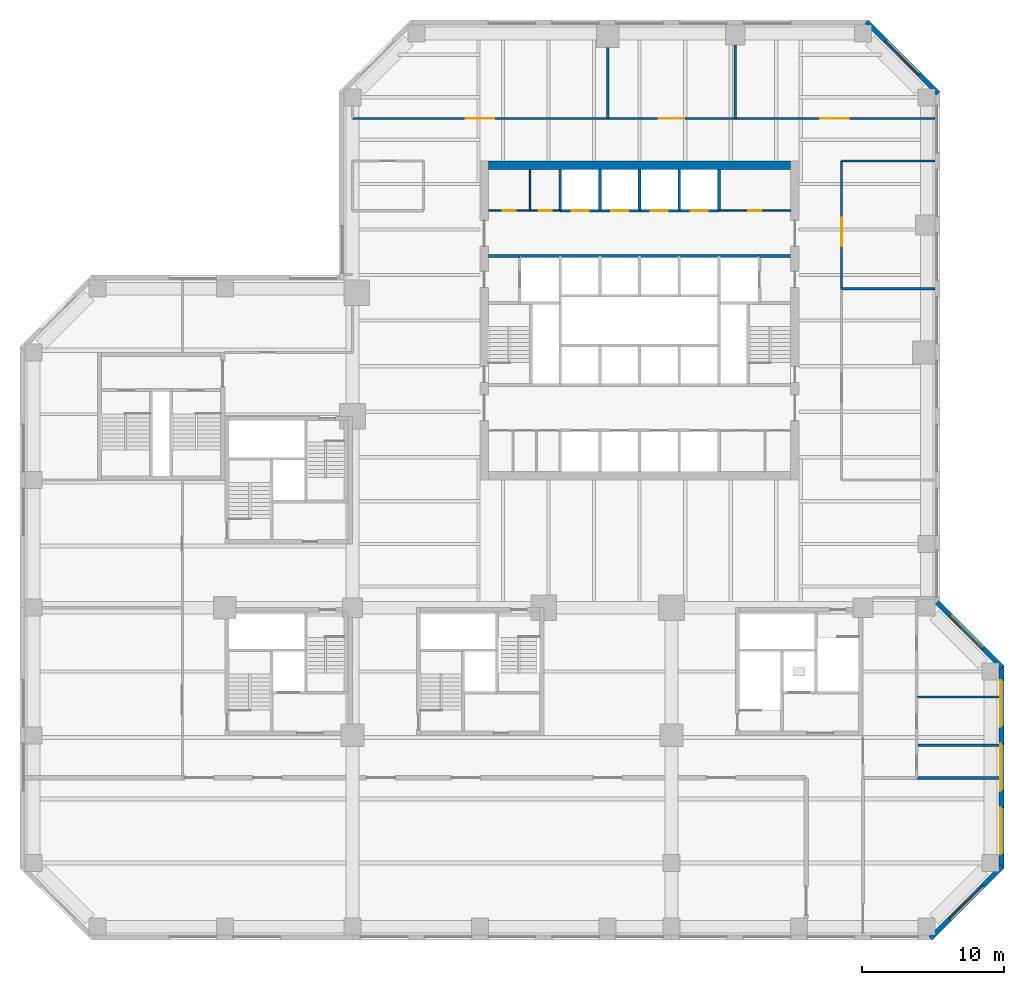
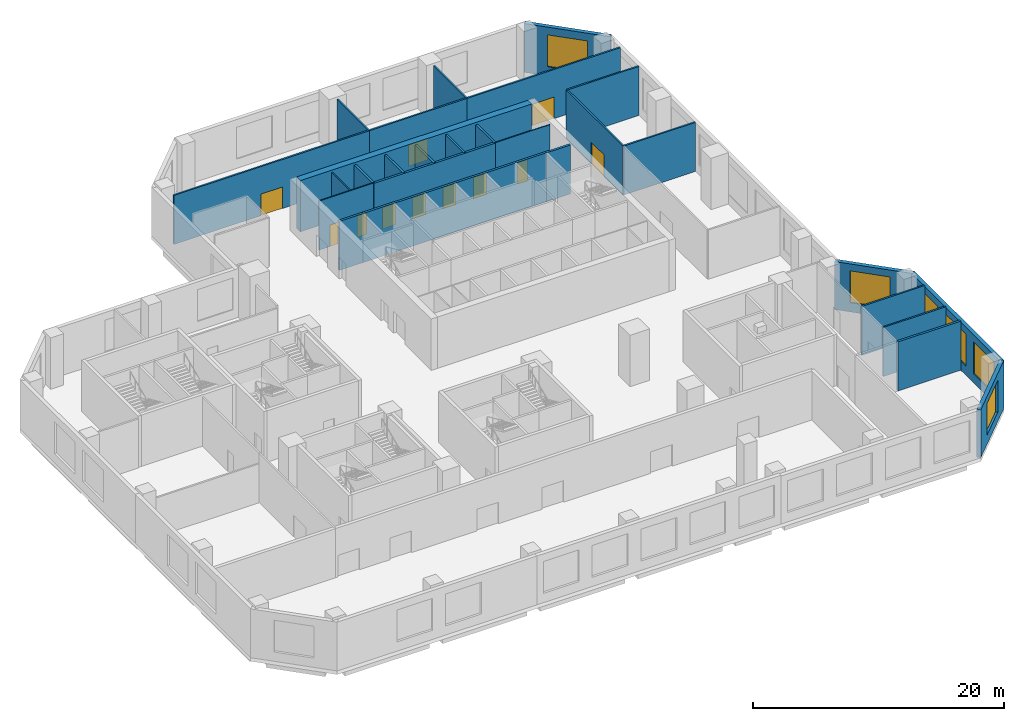
# One storey, part 8 of 12: 28 walls, 11 doors, 6 windows, 17 openings.
"""IFC4 building model written with IfcOpenShell, lengths in metres."""

from ifc_helpers import new_model, si_unit, direction, frame, frame_2d, origin, place, context, subcontext, project, spatial, rectangle, extrude, material, layer, layer_set, constituent, constituent_set, type_object, element, fill, save


model = new_model("IFC4")

# Units and contexts
model_context = context("Model", 3, precision=1e-05, world=origin(), true_north=direction((0.0, 1.0)))
body_context = subcontext(model_context, "Body", "Model", "MODEL_VIEW")
ifc_project = project(units=[si_unit("LENGTHUNIT", "METRE"), si_unit("AREAUNIT", "SQUARE_METRE"), si_unit("VOLUMEUNIT", "CUBIC_METRE"), si_unit("PLANEANGLEUNIT", "RADIAN"), si_unit("MASSUNIT", "GRAM", prefix="KILO")], contexts=[model_context])

# Site, building, storey
site_placement = place(None, origin())
site = spatial("IfcSite", under=ifc_project, at=site_placement, CompositionType="ELEMENT")
building_placement = place(site_placement, origin())
building = spatial("IfcBuilding", under=site, at=building_placement, Name="Quoin Convention Tower", CompositionType="ELEMENT")
storey_placement = place(building_placement, frame((0.0, 0.0, 13.5)))
storey = spatial("IfcBuildingStorey", under=building, at=storey_placement, Name="L02", CompositionType="ELEMENT", Elevation=13.5)

# Wall
ifc_material_1 = material(Name="Plasterboard")
ifc_layer_1 = layer(ifc_material_1, 0.012451171875, Name="Finish")
ifc_material_2 = material(Name="Steel stud framing", Category="steel")
ifc_layer_2 = layer(ifc_material_2, 0.175048828125, Name="Structure")
ifc_layer_3 = layer(ifc_material_1, 0.012451171875, Name="Finish")
ifc_layer_set_1 = layer_set([ifc_layer_1, ifc_layer_2, ifc_layer_3], Name="Steel stud framing")
wall_type_1 = type_object("IfcWallType", Name="Block wall 200", PredefinedType="PARTITIONING", material=ifc_layer_set_1)
wall_1_placement = place(storey_placement, frame((75.800048828125, 28.5, 0.0), z_axis=(0.0, 0.0, 1.0), x_axis=(1.0, 0.0, 0.0)))
element("IfcWall", 1, at=wall_1_placement, inside=storey, type_object=wall_type_1, Name="pw-L02-008", PredefinedType="PARTITIONING", context=body_context, shape_type="SweptSolid", body=[
    extrude(rectangle(XDim=5.800048828125, YDim=0.199951171875, at=frame_2d((2.89990234375, 0.0))), origin(), (0.0, 0.0, 1.0), 4.780029296875),
])

# Wall, opening, window
ifc_material_3 = material(Name="Brick masonry", Category="masonry")
ifc_layer_4 = layer(ifc_material_3, 0.35009765625)
ifc_layer_set_2 = layer_set([ifc_layer_4], Name="Brick masonry")
wall_type_2 = type_object("IfcWallType", Name="Brick facade wall", PredefinedType="STANDARD", material=ifc_layer_set_2)
wall_2_placement = place(storey_placement, frame((76.769775390625, 17.173583984375, 0.0), z_axis=(0.0, 0.0, 1.0), x_axis=(0.707106781187, 0.707106781187, 0.0)))
wall_2 = element("IfcWall", 2, at=wall_2_placement, inside=storey, type_object=wall_type_2, Name="fw-L02-76500_18000", PredefinedType="STANDARD", context=body_context, shape_type="SweptSolid", body=[
    extrude(rectangle(XDim=7.151123046875, YDim=0.35009765625, at=frame_2d((3.57568359375, 0.0))), origin(), (0.0, 0.0, 1.0), 4.675048828125),
])
opening_1_placement = place(wall_2_placement, frame((1.925537109375, 0.0, 0.89990234375)))
opening_1 = element("IfcOpeningElement", 3, at=opening_1_placement, cuts=wall_2, Name="Opening W-05", PredefinedType="OPENING", context=body_context, shape_type="SweptSolid", body=[
    extrude(rectangle(XDim=3.300048828125, YDim=3.10009765625, at=frame_2d((1.64990234375, 1.550048828125))), frame((0.0, 0.18505859375, 0.0), z_axis=(0.0, -1.0, 0.0), x_axis=(1.0, 0.0, 0.0)), (0.0, 0.0, 1.0), 0.3701171875),
])
ifc_material_4 = material(Name="Aluminium", Category="aluminium")
ifc_constituent_1 = constituent(ifc_material_4, Name="Frame")
ifc_material_5 = material(Name="Insulated glass", Category="glass")
ifc_constituent_2 = constituent(ifc_material_5, Name="Glazing")
ifc_constituent_set = constituent_set(constituents=[ifc_constituent_1, ifc_constituent_2], Name="Aluminium")
window_type = type_object("IfcWindowType", Name="Convention window L02", PartitioningType="TRIPLE_PANEL_VERTICAL", PredefinedType="WINDOW", material=ifc_constituent_set)
window_1_placement = place(opening_1_placement, origin())
window_1 = element("IfcWindow", 4, at=window_1_placement, inside=storey, type_object=window_type, Name="win-L02-79298_19702", OverallHeight=3.10009765625, OverallWidth=3.300048828125, PartitioningType="SINGLE_PANEL", PredefinedType="WINDOW", context=body_context, shape_type="SweptSolid", body=[
    extrude(rectangle(XDim=3.300048828125, YDim=3.10009765625, at=frame_2d((1.64990234375, 1.550048828125))), frame((0.0, 0.0849609375, 0.0), z_axis=(0.0, -1.0, 0.0), x_axis=(1.0, 0.0, 0.0)), (0.0, 0.0, 1.0), 0.06005859375),
])
fill(opening_1, window_1)

# Wall, openings, windows
wall_3_placement = place(storey_placement, frame((81.77490234375, 22.1064453125, 0.0), z_axis=(0.0, 0.0, 1.0), x_axis=(0.0, 1.0, 0.0)))
wall_3 = element("IfcWall", 5, at=wall_3_placement, inside=storey, type_object=wall_type_2, Name="fw-L02-81000_22500", PredefinedType="STANDARD", context=body_context, shape_type="SweptSolid", body=[
    extrude(rectangle(XDim=14.287109375, YDim=0.35009765625, at=frame_2d((7.1435546875, 0.0))), origin(), (0.0, 0.0, 1.0), 4.675048828125),
])
opening_2_placement = place(wall_3_placement, frame((0.993408203125, 0.0, 0.89990234375)))
opening_2 = element("IfcOpeningElement", 6, at=opening_2_placement, cuts=wall_3, Name="Opening W-05", PredefinedType="OPENING", context=body_context, shape_type="SweptSolid", body=[
    extrude(rectangle(XDim=3.300048828125, YDim=3.10009765625, at=frame_2d((1.64990234375, 1.550048828125))), frame((0.0, 0.18505859375, 0.0), z_axis=(0.0, -1.0, 0.0), x_axis=(1.0, 0.0, 0.0)), (0.0, 0.0, 1.0), 0.3701171875),
])
opening_3_placement = place(wall_3_placement, frame((5.493408203125, 0.0, 0.89990234375)))
opening_3 = element("IfcOpeningElement", 7, at=opening_3_placement, cuts=wall_3, Name="Opening W-05", PredefinedType="OPENING", context=body_context, shape_type="SweptSolid", body=[
    extrude(rectangle(XDim=3.300048828125, YDim=3.10009765625, at=frame_2d((1.64990234375, 1.550048828125))), frame((0.0, 0.18505859375, 0.0), z_axis=(0.0, -1.0, 0.0), x_axis=(1.0, 0.0, 0.0)), (0.0, 0.0, 1.0), 0.3701171875),
])
opening_4_placement = place(wall_3_placement, frame((9.993408203125, 0.0, 0.89990234375)))
opening_4 = element("IfcOpeningElement", 8, at=opening_4_placement, cuts=wall_3, Name="Opening W-05", PredefinedType="OPENING", context=body_context, shape_type="SweptSolid", body=[
    extrude(rectangle(XDim=3.300048828125, YDim=3.10009765625, at=frame_2d((1.64990234375, 1.550048828125))), frame((0.0, 0.18505859375, 0.0), z_axis=(0.0, -1.0, 0.0), x_axis=(1.0, 0.0, 0.0)), (0.0, 0.0, 1.0), 0.3701171875),
])
window_2_placement = place(opening_2_placement, origin())
window_2 = element("IfcWindow", 9, at=window_2_placement, inside=storey, type_object=window_type, Name="win-L02-81775_24750", OverallHeight=3.10009765625, OverallWidth=3.300048828125, PartitioningType="SINGLE_PANEL", PredefinedType="WINDOW", context=body_context, shape_type="SweptSolid", body=[
    extrude(rectangle(XDim=3.300048828125, YDim=3.10009765625, at=frame_2d((1.64990234375, 1.550048828125))), frame((0.0, 0.0849609375, 0.0), z_axis=(0.0, -1.0, 0.0), x_axis=(1.0, 0.0, 0.0)), (0.0, 0.0, 1.0), 0.06005859375),
])
fill(opening_2, window_2)
window_3_placement = place(opening_3_placement, origin())
window_3 = element("IfcWindow", 10, at=window_3_placement, inside=storey, type_object=window_type, Name="win-L02-81775_29250", OverallHeight=3.10009765625, OverallWidth=3.300048828125, PartitioningType="SINGLE_PANEL", PredefinedType="WINDOW", context=body_context, shape_type="SweptSolid", body=[
    extrude(rectangle(XDim=3.300048828125, YDim=3.10009765625, at=frame_2d((1.64990234375, 1.550048828125))), frame((0.0, 0.0849609375, 0.0), z_axis=(0.0, -1.0, 0.0), x_axis=(1.0, 0.0, 0.0)), (0.0, 0.0, 1.0), 0.06005859375),
])
fill(opening_3, window_3)
window_4_placement = place(opening_4_placement, origin())
window_4 = element("IfcWindow", 11, at=window_4_placement, inside=storey, type_object=window_type, Name="win-L02-81775_33750", OverallHeight=3.10009765625, OverallWidth=3.300048828125, PartitioningType="SINGLE_PANEL", PredefinedType="WINDOW", context=body_context, shape_type="SweptSolid", body=[
    extrude(rectangle(XDim=3.300048828125, YDim=3.10009765625, at=frame_2d((1.64990234375, 1.550048828125))), frame((0.0, 0.0849609375, 0.0), z_axis=(0.0, -1.0, 0.0), x_axis=(1.0, 0.0, 0.0)), (0.0, 0.0, 1.0), 0.06005859375),
])
fill(opening_4, window_4)

# Wall, opening, window
wall_4_placement = place(storey_placement, frame((81.826416015625, 36.269775390625, 0.0), z_axis=(0.0, 0.0, 1.0), x_axis=(-0.707125534599, 0.707088027277, 0.0)))
wall_4 = element("IfcWall", 12, at=wall_4_placement, inside=storey, type_object=wall_type_2, Name="fw-L02-81000_36000", PredefinedType="STANDARD", context=body_context, shape_type="SweptSolid", body=[
    extrude(rectangle(XDim=6.509033203125, YDim=0.35009765625, at=frame_2d((3.25439453125, 0.0))), origin(), (0.0, 0.0, 1.0), 4.675048828125),
])
opening_5_placement = place(wall_4_placement, frame((1.925537109375, 0.0, 0.89990234375)))
opening_5 = element("IfcOpeningElement", 13, at=opening_5_placement, cuts=wall_4, Name="Opening W-05", PredefinedType="OPENING", context=body_context, shape_type="SweptSolid", body=[
    extrude(rectangle(XDim=3.300048828125, YDim=3.10009765625, at=frame_2d((1.64990234375, 1.550048828125))), frame((0.0, 0.18505859375, 0.0), z_axis=(0.0, -1.0, 0.0), x_axis=(1.0, 0.0, 0.0)), (0.0, 0.0, 1.0), 0.3701171875),
])
window_5_placement = place(opening_5_placement, origin())
window_5 = element("IfcWindow", 14, at=window_5_placement, inside=storey, type_object=window_type, Name="win-L02-79298_38798", OverallHeight=3.10009765625, OverallWidth=3.300048828125, PartitioningType="SINGLE_PANEL", PredefinedType="WINDOW", context=body_context, shape_type="SweptSolid", body=[
    extrude(rectangle(XDim=3.300048828125, YDim=3.10009765625, at=frame_2d((1.64990234375, 1.550048828125))), frame((0.0, 0.0849609375, 0.0), z_axis=(0.0, -1.0, 0.0), x_axis=(1.0, 0.0, 0.0)), (0.0, 0.0, 1.0), 0.06005859375),
])
fill(opening_5, window_5)

wall_5_placement = place(storey_placement, frame((77.326416015625, 76.769775390625, 0.0), z_axis=(0.0, 0.0, 1.0), x_axis=(-0.707106781187, 0.707106781187, 0.0)))
wall_5 = element("IfcWall", 15, at=wall_5_placement, inside=storey, type_object=wall_type_2, Name="fw-L02-76500_76500", PredefinedType="STANDARD", context=body_context, shape_type="SweptSolid", body=[
    extrude(rectangle(XDim=7.151123046875, YDim=0.35009765625, at=frame_2d((3.57568359375, 0.0))), origin(), (0.0, 0.0, 1.0), 4.7548828125),
])
opening_6_placement = place(wall_5_placement, frame((1.925537109375, 0.0, 0.89990234375)))
opening_6 = element("IfcOpeningElement", 16, at=opening_6_placement, cuts=wall_5, Name="Opening W-05", PredefinedType="OPENING", context=body_context, shape_type="SweptSolid", body=[
    extrude(rectangle(XDim=3.300048828125, YDim=3.10009765625, at=frame_2d((1.64990234375, 1.550048828125))), frame((0.0, 0.18505859375, 0.0), z_axis=(0.0, -1.0, 0.0), x_axis=(1.0, 0.0, 0.0)), (0.0, 0.0, 1.0), 0.3701171875),
])
window_6_placement = place(opening_6_placement, origin())
window_6 = element("IfcWindow", 17, at=window_6_placement, inside=storey, type_object=window_type, Name="win-L02-74798_79298", OverallHeight=3.10009765625, OverallWidth=3.300048828125, PartitioningType="SINGLE_PANEL", PredefinedType="WINDOW", context=body_context, shape_type="SweptSolid", body=[
    extrude(rectangle(XDim=3.300048828125, YDim=3.10009765625, at=frame_2d((1.64990234375, 1.550048828125))), frame((0.0, 0.0849609375, 0.0), z_axis=(0.0, -1.0, 0.0), x_axis=(1.0, 0.0, 0.0)), (0.0, 0.0, 1.0), 0.06005859375),
])
fill(opening_6, window_6)

# Wall, openings, doors
ifc_layer_5 = layer(ifc_material_1, 0.012451171875, Name="Finish")
ifc_layer_6 = layer(ifc_material_2, 0.074951171875, Name="Structure")
ifc_layer_7 = layer(ifc_material_1, 0.012451171875, Name="Finish")
ifc_layer_set_3 = layer_set([ifc_layer_5, ifc_layer_6, ifc_layer_7], Name="Steel stud framing")
wall_type_3 = type_object("IfcWallType", Name="Core partition wall", PredefinedType="PARTITIONING", material=ifc_layer_set_3)
wall_6_placement = place(storey_placement, frame((45.60009765625, 68.5, 0.0), z_axis=(0.0, 0.0, 1.0), x_axis=(1.0, 0.0, 0.0)))
wall_6 = element("IfcWall", 18, at=wall_6_placement, inside=storey, type_object=wall_type_3, Name="cr-C1-L02-h19000_600", PredefinedType="PARTITIONING", context=body_context, shape_type="SweptSolid", body=[
    extrude(rectangle(XDim=5.0498046875, YDim=0.10009765625, at=frame_2d((2.52490234375, 0.0))), origin(), (0.0, 0.0, 1.0), 4.780029296875),
])
opening_7_placement = place(wall_6_placement, frame((1.014404296875, 0.0, 0.0)))
opening_7 = element("IfcOpeningElement", 19, at=opening_7_placement, cuts=wall_6, Name="Opening DCV1-17", PredefinedType="OPENING", context=body_context, shape_type="SweptSolid", body=[
    extrude(rectangle(XDim=0.89990234375, YDim=2.10009765625, at=frame_2d((0.449951171875, 1.050048828125))), frame((0.0, 0.06005859375, 0.0), z_axis=(0.0, -1.0, 0.0), x_axis=(1.0, 0.0, 0.0)), (0.0, 0.0, 1.0), 0.1201171875),
])
opening_8_placement = place(wall_6_placement, frame((3.53955078125, 0.0, 0.0)))
opening_8 = element("IfcOpeningElement", 20, at=opening_8_placement, cuts=wall_6, Name="Opening DCV1-18", PredefinedType="OPENING", context=body_context, shape_type="SweptSolid", body=[
    extrude(rectangle(XDim=0.89990234375, YDim=2.10009765625, at=frame_2d((0.449951171875, 1.050048828125))), frame((0.0, 0.06005859375, 0.0), z_axis=(0.0, -1.0, 0.0), x_axis=(1.0, 0.0, 0.0)), (0.0, 0.0, 1.0), 0.1201171875),
])
ifc_material_6 = material(Name="Steel door leaf", Category="steel")
door_type_1 = type_object("IfcDoorType", Name="Core room door 900 x 2100", OperationType="SINGLE_SWING_LEFT", PredefinedType="DOOR", material=ifc_material_6)
door_1_placement = place(opening_7_placement, origin())
door_1 = element("IfcDoor", 21, at=door_1_placement, inside=storey, type_object=door_type_1, Name="cd-C1-L02-CNW0-lobB-CD0208", OperationType="SINGLE_SWING_RIGHT", OverallHeight=2.10009765625, OverallWidth=0.89990234375, PredefinedType="DOOR", context=body_context, shape_type="SweptSolid", body=[
    extrude(rectangle(XDim=0.89990234375, YDim=2.10009765625, at=frame_2d((0.449951171875, 1.050048828125))), frame((0.0, 0.02490234375, 0.0), z_axis=(0.0, -1.0, 0.0), x_axis=(1.0, 0.0, 0.0)), (0.0, 0.0, 1.0), 0.050048828125),
])
fill(opening_7, door_1)
door_2_placement = place(opening_8_placement, origin())
door_2 = element("IfcDoor", 22, at=door_2_placement, inside=storey, type_object=door_type_1, Name="cd-C1-L02-CNW1-lobB-CD0209", OperationType="SINGLE_SWING_RIGHT", OverallHeight=2.10009765625, OverallWidth=0.89990234375, PredefinedType="DOOR", context=body_context, shape_type="SweptSolid", body=[
    extrude(rectangle(XDim=0.89990234375, YDim=2.10009765625, at=frame_2d((0.449951171875, 1.050048828125))), frame((0.0, 0.02490234375, 0.0), z_axis=(0.0, -1.0, 0.0), x_axis=(1.0, 0.0, 0.0)), (0.0, 0.0, 1.0), 0.050048828125),
])
fill(opening_8, door_2)

# Wall, opening, door
wall_7_placement = place(storey_placement, frame((61.85009765625, 68.5, 0.0), z_axis=(0.0, 0.0, 1.0), x_axis=(1.0, 0.0, 0.0)))
wall_7 = element("IfcWall", 23, at=wall_7_placement, inside=storey, type_object=wall_type_3, Name="cr-C1-L02-h19000_16850", PredefinedType="PARTITIONING", context=body_context, shape_type="SweptSolid", body=[
    extrude(rectangle(XDim=5.0498046875, YDim=0.10009765625, at=frame_2d((2.52490234375, 0.0))), origin(), (0.0, 0.0, 1.0), 4.780029296875),
])
opening_9_placement = place(wall_7_placement, frame((2.074951171875, 0.0, 0.0)))
opening_9 = element("IfcOpeningElement", 24, at=opening_9_placement, cuts=wall_7, Name="Opening DCV1-01", PredefinedType="OPENING", context=body_context, shape_type="SweptSolid", body=[
    extrude(rectangle(XDim=0.89990234375, YDim=2.10009765625, at=frame_2d((0.449951171875, 1.050048828125))), frame((0.0, 0.06005859375, 0.0), z_axis=(0.0, -1.0, 0.0), x_axis=(1.0, 0.0, 0.0)), (0.0, 0.0, 1.0), 0.1201171875),
])
door_3_placement = place(opening_9_placement, origin())
door_3 = element("IfcDoor", 25, at=door_3_placement, inside=storey, type_object=door_type_1, Name="cd-C1-L02-CNE0-lobB-CD0207", OperationType="SINGLE_SWING_LEFT", OverallHeight=2.10009765625, OverallWidth=0.89990234375, PredefinedType="DOOR", context=body_context, shape_type="SweptSolid", body=[
    extrude(rectangle(XDim=0.89990234375, YDim=2.10009765625, at=frame_2d((0.449951171875, 1.050048828125))), frame((0.0, 0.02490234375, 0.0), z_axis=(0.0, -1.0, 0.0), x_axis=(1.0, 0.0, 0.0)), (0.0, 0.0, 1.0), 0.050048828125),
])
fill(opening_9, door_3)

# Walls
wall_8_placement = place(storey_placement, frame((48.529052734375, 68.5, 0.0), z_axis=(0.0, 0.0, 1.0), x_axis=(0.0, 1.0, 0.0)))
element("IfcWall", 26, at=wall_8_placement, inside=storey, type_object=wall_type_3, Name="cr-C1-L02-v3529_19000", PredefinedType="PARTITIONING", context=body_context, shape_type="SweptSolid", body=[
    extrude(rectangle(XDim=2.89990234375, YDim=0.10009765625, at=frame_2d((1.449951171875, 0.0))), origin(), (0.0, 0.0, 1.0), 4.780029296875),
])
ifc_material_7 = material(Name="Concrete C50", Category="concrete")
ifc_layer_8 = layer(ifc_material_7, 0.199951171875)
ifc_layer_set_4 = layer_set([ifc_layer_8], Name="Concrete C50")
wall_type_4 = type_object("IfcWallType", Name="Core shaft wall", PredefinedType="SOLIDWALL", material=ifc_layer_set_4)
for number, where, z_axis, x_axis, name in (
    (27, (45.60009765625, 65.300048828125, 0.0), (0.0, 0.0, 1.0), (1.0, 0.0, 0.0), "cr-C1-L02-h15800_600"),
    (28, (64.699951171875, 65.300048828125, 0.0), (0.0, 0.0, 1.0), (1.0, 0.0, 0.0), "cr-C1-L02-h15800_19700"),
):
    element("IfcWall", number, at=place(storey_placement, frame(where, z_axis=z_axis, x_axis=x_axis)), inside=storey, type_object=wall_type_4, Name=name, PredefinedType="SOLIDWALL", context=body_context, shape_type="SweptSolid", body=[
        extrude(rectangle(XDim=2.199951171875, YDim=0.199951171875, at=frame_2d((1.10009765625, 0.0))), origin(), (0.0, 0.0, 1.0), 4.780029296875),
    ])
wall_9_placement = place(storey_placement, frame((47.800048828125, 65.300048828125, 0.0), z_axis=(0.0, 0.0, 1.0), x_axis=(1.0, 0.0, 0.0)))
element("IfcWall", 29, at=wall_9_placement, inside=storey, type_object=wall_type_4, Name="cr-C1-L02-h15800_2800", PredefinedType="SOLIDWALL", context=body_context, shape_type="SweptSolid", body=[
    extrude(rectangle(XDim=16.89990234375, YDim=0.199951171875, at=frame_2d((8.449951171875, 0.0))), origin(), (0.0, 0.0, 1.0), 4.780029296875),
])

# Wall, openings, doors
wall_10_placement = place(storey_placement, frame((50.64990234375, 68.5, 0.0), z_axis=(0.0, 0.0, 1.0), x_axis=(1.0, 0.0, 0.0)))
wall_10 = element("IfcWall", 30, at=wall_10_placement, inside=storey, type_object=wall_type_4, Name="cr-C1-L02-h19000_5650", PredefinedType="SOLIDWALL", context=body_context, shape_type="SweptSolid", body=[
    extrude(rectangle(XDim=11.2001953125, YDim=0.199951171875, at=frame_2d((5.60009765625, 0.0))), origin(), (0.0, 0.0, 1.0), 4.780029296875),
])
opening_10_placement = place(wall_10_placement, frame((0.800048828125, 0.0, 0.0)))
opening_10 = element("IfcOpeningElement", 31, at=opening_10_placement, cuts=wall_10, Name="Opening LDL5", PredefinedType="OPENING", context=body_context, shape_type="SweptSolid", body=[
    extrude(rectangle(XDim=1.199951171875, YDim=2.10009765625, at=frame_2d((0.60009765625, 1.050048828125))), frame((0.0, 0.10986328125, 0.0), z_axis=(0.0, -1.0, 0.0), x_axis=(1.0, 0.0, 0.0)), (0.0, 0.0, 1.0), 0.219970703125),
])
opening_11_placement = place(wall_10_placement, frame((3.60009765625, 0.0, 0.0)))
opening_11 = element("IfcOpeningElement", 32, at=opening_11_placement, cuts=wall_10, Name="Opening LDL6", PredefinedType="OPENING", context=body_context, shape_type="SweptSolid", body=[
    extrude(rectangle(XDim=1.199951171875, YDim=2.10009765625, at=frame_2d((0.60009765625, 1.050048828125))), frame((0.0, 0.10986328125, 0.0), z_axis=(0.0, -1.0, 0.0), x_axis=(1.0, 0.0, 0.0)), (0.0, 0.0, 1.0), 0.219970703125),
])
opening_12_placement = place(wall_10_placement, frame((6.39990234375, 0.0, 0.0)))
opening_12 = element("IfcOpeningElement", 33, at=opening_12_placement, cuts=wall_10, Name="Opening LDL7", PredefinedType="OPENING", context=body_context, shape_type="SweptSolid", body=[
    extrude(rectangle(XDim=1.199951171875, YDim=2.10009765625, at=frame_2d((0.60009765625, 1.050048828125))), frame((0.0, 0.10986328125, 0.0), z_axis=(0.0, -1.0, 0.0), x_axis=(1.0, 0.0, 0.0)), (0.0, 0.0, 1.0), 0.219970703125),
])
opening_13_placement = place(wall_10_placement, frame((9.199951171875, 0.0, 0.0)))
opening_13 = element("IfcOpeningElement", 34, at=opening_13_placement, cuts=wall_10, Name="Opening LDL8", PredefinedType="OPENING", context=body_context, shape_type="SweptSolid", body=[
    extrude(rectangle(XDim=1.199951171875, YDim=2.10009765625, at=frame_2d((0.60009765625, 1.050048828125))), frame((0.0, 0.10986328125, 0.0), z_axis=(0.0, -1.0, 0.0), x_axis=(1.0, 0.0, 0.0)), (0.0, 0.0, 1.0), 0.219970703125),
])
door_type_2 = type_object("IfcDoorType", Name="Lift landing door 1200 x 2100", OperationType="DOUBLE_DOOR_SLIDING", PredefinedType="DOOR", material=ifc_material_6)
door_4_placement = place(opening_10_placement, origin())
door_4 = element("IfcDoor", 35, at=door_4_placement, inside=storey, type_object=door_type_2, Name="cd-C1-L02-R40-lobB-LDL5", OperationType="DOUBLE_DOOR_SLIDING", OverallHeight=2.10009765625, OverallWidth=1.199951171875, PredefinedType="DOOR", context=body_context, shape_type="SweptSolid", body=[
    extrude(rectangle(XDim=1.199951171875, YDim=2.10009765625, at=frame_2d((0.60009765625, 1.050048828125))), frame((0.0, 0.02490234375, 0.0), z_axis=(0.0, -1.0, 0.0), x_axis=(1.0, 0.0, 0.0)), (0.0, 0.0, 1.0), 0.050048828125),
])
fill(opening_10, door_4)
door_5_placement = place(opening_11_placement, origin())
door_5 = element("IfcDoor", 36, at=door_5_placement, inside=storey, type_object=door_type_2, Name="cd-C1-L02-R41-lobB-LDL6", OperationType="DOUBLE_DOOR_SLIDING", OverallHeight=2.10009765625, OverallWidth=1.199951171875, PredefinedType="DOOR", context=body_context, shape_type="SweptSolid", body=[
    extrude(rectangle(XDim=1.199951171875, YDim=2.10009765625, at=frame_2d((0.60009765625, 1.050048828125))), frame((0.0, 0.02490234375, 0.0), z_axis=(0.0, -1.0, 0.0), x_axis=(1.0, 0.0, 0.0)), (0.0, 0.0, 1.0), 0.050048828125),
])
fill(opening_11, door_5)
door_6_placement = place(opening_12_placement, origin())
door_6 = element("IfcDoor", 37, at=door_6_placement, inside=storey, type_object=door_type_2, Name="cd-C1-L02-R42-lobB-LDL7", OperationType="DOUBLE_DOOR_SLIDING", OverallHeight=2.10009765625, OverallWidth=1.199951171875, PredefinedType="DOOR", context=body_context, shape_type="SweptSolid", body=[
    extrude(rectangle(XDim=1.199951171875, YDim=2.10009765625, at=frame_2d((0.60009765625, 1.050048828125))), frame((0.0, 0.02490234375, 0.0), z_axis=(0.0, -1.0, 0.0), x_axis=(1.0, 0.0, 0.0)), (0.0, 0.0, 1.0), 0.050048828125),
])
fill(opening_12, door_6)
door_7_placement = place(opening_13_placement, origin())
door_7 = element("IfcDoor", 38, at=door_7_placement, inside=storey, type_object=door_type_2, Name="cd-C1-L02-R43-lobB-LDL8", OperationType="DOUBLE_DOOR_SLIDING", OverallHeight=2.10009765625, OverallWidth=1.199951171875, PredefinedType="DOOR", context=body_context, shape_type="SweptSolid", body=[
    extrude(rectangle(XDim=1.199951171875, YDim=2.10009765625, at=frame_2d((0.60009765625, 1.050048828125))), frame((0.0, 0.02490234375, 0.0), z_axis=(0.0, -1.0, 0.0), x_axis=(1.0, 0.0, 0.0)), (0.0, 0.0, 1.0), 0.050048828125),
])
fill(opening_13, door_7)

# Walls
for number, where, z_axis, x_axis, name in (
    (39, (50.64990234375, 68.5, 0.0), (0.0, 0.0, 1.0), (0.0, 1.0, 0.0), "cr-C1-L02-v5650_19000"),
    (40, (53.449951171875, 68.5, 0.0), (0.0, 0.0, 1.0), (0.0, 1.0, 0.0), "cr-C1-L02-v8450_19000"),
    (41, (56.25, 68.5, 0.0), (0.0, 0.0, 1.0), (0.0, 1.0, 0.0), "cr-C1-L02-v11250_19000"),
    (42, (59.050048828125, 68.5, 0.0), (0.0, 0.0, 1.0), (0.0, 1.0, 0.0), "cr-C1-L02-v14050_19000"),
    (43, (61.85009765625, 68.5, 0.0), (0.0, 0.0, 1.0), (0.0, 1.0, 0.0), "cr-C1-L02-v16850_19000"),
):
    element("IfcWall", number, at=place(storey_placement, frame(where, z_axis=z_axis, x_axis=x_axis)), inside=storey, type_object=wall_type_4, Name=name, PredefinedType="SOLIDWALL", context=body_context, shape_type="SweptSolid", body=[
        extrude(rectangle(XDim=2.89990234375, YDim=0.199951171875, at=frame_2d((1.449951171875, 0.0))), origin(), (0.0, 0.0, 1.0), 4.780029296875),
    ])
ifc_layer_9 = layer(ifc_material_1, 0.012451171875, Name="Finish")
ifc_layer_10 = layer(ifc_material_2, 0.125, Name="Structure")
ifc_layer_11 = layer(ifc_material_1, 0.012451171875, Name="Finish")
ifc_layer_set_5 = layer_set([ifc_layer_9, ifc_layer_10, ifc_layer_11], Name="Steel stud framing")
wall_type_5 = type_object("IfcWallType", Name="Partition wall 150", PredefinedType="PARTITIONING", material=ifc_layer_set_5)
wall_11_placement = place(storey_placement, frame((70.5, 63.0, 0.0), z_axis=(0.0, 0.0, 1.0), x_axis=(1.0, 0.0, 0.0)))
element("IfcWall", 44, at=wall_11_placement, inside=storey, type_object=wall_type_5, Name="pw-L02-027", PredefinedType="PARTITIONING", context=body_context, shape_type="SweptSolid", body=[
    extrude(rectangle(XDim=6.60009765625, YDim=0.14990234375, at=frame_2d((3.300048828125, 0.0))), origin(), (0.0, 0.0, 1.0), 4.780029296875),
])

# Wall, opening, door
wall_12_placement = place(storey_placement, frame((70.5, 63.0, 0.0), z_axis=(0.0, 0.0, 1.0), x_axis=(0.0, 1.0, 0.0)))
wall_12 = element("IfcWall", 45, at=wall_12_placement, inside=storey, type_object=wall_type_5, Name="pw-L02-028", PredefinedType="PARTITIONING", context=body_context, shape_type="SweptSolid", body=[
    extrude(rectangle(XDim=9.0, YDim=0.14990234375, at=frame_2d((4.5, 0.0))), origin(), (0.0, 0.0, 1.0), 4.780029296875),
])
opening_14_placement = place(wall_12_placement, frame((3.0, 0.0, 0.0)))
opening_14 = element("IfcOpeningElement", 46, at=opening_14_placement, cuts=wall_12, Name="Opening DPD2-17", PredefinedType="OPENING", context=body_context, shape_type="SweptSolid", body=[
    extrude(rectangle(XDim=2.0, YDim=2.10009765625, at=frame_2d((1.0, 1.050048828125))), frame((0.0, 0.0849609375, 0.0), z_axis=(0.0, -1.0, 0.0), x_axis=(1.0, 0.0, 0.0)), (0.0, 0.0, 1.0), 0.169921875),
])
door_type_3 = type_object("IfcDoorType", Name="Double leaf door 2000", OperationType="DOUBLE_DOOR_SINGLE_SWING", PredefinedType="DOOR", material=ifc_material_6)
door_8_placement = place(opening_14_placement, frame((2.0, 0.0, 0.0), z_axis=(0.0, 0.0, 1.0), x_axis=(-1.0, 0.0, 0.0)))
door_8 = element("IfcDoor", 47, at=door_8_placement, inside=storey, type_object=door_type_3, Name="dr-L02-022", OperationType="DOUBLE_DOOR_SINGLE_SWING", OverallHeight=2.10009765625, OverallWidth=2.0, PredefinedType="DOOR", context=body_context, shape_type="SweptSolid", body=[
    extrude(rectangle(XDim=2.0, YDim=2.10009765625, at=frame_2d((1.0, 1.050048828125))), frame((0.0, 0.02490234375, 0.0), z_axis=(0.0, -1.0, 0.0), x_axis=(1.0, 0.0, 0.0)), (0.0, 0.0, 1.0), 0.050048828125),
])
fill(opening_14, door_8)

# Wall
wall_13_placement = place(storey_placement, frame((70.5, 72.0, 0.0), z_axis=(0.0, 0.0, 1.0), x_axis=(1.0, 0.0, 0.0)))
element("IfcWall", 48, at=wall_13_placement, inside=storey, type_object=wall_type_5, Name="pw-L02-034", PredefinedType="PARTITIONING", context=body_context, shape_type="SweptSolid", body=[
    extrude(rectangle(XDim=6.60009765625, YDim=0.14990234375, at=frame_2d((3.300048828125, 0.0))), origin(), (0.0, 0.0, 1.0), 4.780029296875),
])

# Wall, opening, door
wall_14_placement = place(storey_placement, frame((36.0, 75.0, 0.0), z_axis=(0.0, 0.0, 1.0), x_axis=(1.0, 0.0, 0.0)))
wall_14 = element("IfcWall", 49, at=wall_14_placement, inside=storey, type_object=wall_type_5, Name="pw-L02-035", PredefinedType="PARTITIONING", context=body_context, shape_type="SweptSolid", body=[
    extrude(rectangle(XDim=18.0, YDim=0.14990234375, at=frame_2d((9.0, 0.0))), origin(), (0.0, 0.0, 1.0), 4.780029296875),
])
opening_15_placement = place(wall_14_placement, frame((8.0, 0.0, 0.0)))
opening_15 = element("IfcOpeningElement", 50, at=opening_15_placement, cuts=wall_14, Name="Opening DPD2-19", PredefinedType="OPENING", context=body_context, shape_type="SweptSolid", body=[
    extrude(rectangle(XDim=2.0, YDim=2.10009765625, at=frame_2d((1.0, 1.050048828125))), frame((0.0, 0.0849609375, 0.0), z_axis=(0.0, -1.0, 0.0), x_axis=(1.0, 0.0, 0.0)), (0.0, 0.0, 1.0), 0.169921875),
])
door_9_placement = place(opening_15_placement, origin())
door_9 = element("IfcDoor", 51, at=door_9_placement, inside=storey, type_object=door_type_3, Name="dr-L02-018", OperationType="DOUBLE_DOOR_SINGLE_SWING", OverallHeight=2.10009765625, OverallWidth=2.0, PredefinedType="DOOR", context=body_context, shape_type="SweptSolid", body=[
    extrude(rectangle(XDim=2.0, YDim=2.10009765625, at=frame_2d((1.0, 1.050048828125))), frame((0.0, 0.02490234375, 0.0), z_axis=(0.0, -1.0, 0.0), x_axis=(1.0, 0.0, 0.0)), (0.0, 0.0, 1.0), 0.050048828125),
])
fill(opening_15, door_9)

wall_15_placement = place(storey_placement, frame((54.0, 75.0, 0.0), z_axis=(0.0, 0.0, 1.0), x_axis=(1.0, 0.0, 0.0)))
wall_15 = element("IfcWall", 52, at=wall_15_placement, inside=storey, type_object=wall_type_5, Name="pw-L02-037", PredefinedType="PARTITIONING", context=body_context, shape_type="SweptSolid", body=[
    extrude(rectangle(XDim=9.0, YDim=0.14990234375, at=frame_2d((4.5, 0.0))), origin(), (0.0, 0.0, 1.0), 4.780029296875),
])
opening_16_placement = place(wall_15_placement, frame((3.60009765625, 0.0, 0.0)))
opening_16 = element("IfcOpeningElement", 53, at=opening_16_placement, cuts=wall_15, Name="Opening DPD2-20", PredefinedType="OPENING", context=body_context, shape_type="SweptSolid", body=[
    extrude(rectangle(XDim=1.800048828125, YDim=2.10009765625, at=frame_2d((0.89990234375, 1.050048828125))), frame((0.0, 0.0849609375, 0.0), z_axis=(0.0, -1.0, 0.0), x_axis=(1.0, 0.0, 0.0)), (0.0, 0.0, 1.0), 0.169921875),
])
door_type_4 = type_object("IfcDoorType", Name="Double leaf door 1800", OperationType="DOUBLE_DOOR_SINGLE_SWING", PredefinedType="DOOR", material=ifc_material_6)
door_10_placement = place(opening_16_placement, origin())
door_10 = element("IfcDoor", 54, at=door_10_placement, inside=storey, type_object=door_type_4, Name="dr-L02-019", OperationType="DOUBLE_DOOR_SINGLE_SWING", OverallHeight=2.10009765625, OverallWidth=1.800048828125, PredefinedType="DOOR", context=body_context, shape_type="SweptSolid", body=[
    extrude(rectangle(XDim=1.800048828125, YDim=2.10009765625, at=frame_2d((0.89990234375, 1.050048828125))), frame((0.0, 0.02490234375, 0.0), z_axis=(0.0, -1.0, 0.0), x_axis=(1.0, 0.0, 0.0)), (0.0, 0.0, 1.0), 0.050048828125),
])
fill(opening_16, door_10)

# Wall
wall_16_placement = place(storey_placement, frame((54.0, 75.0, 0.0), z_axis=(0.0, 0.0, 1.0), x_axis=(0.0, 1.0, 0.0)))
element("IfcWall", 55, at=wall_16_placement, inside=storey, type_object=wall_type_5, Name="pw-L02-038", PredefinedType="PARTITIONING", context=body_context, shape_type="SweptSolid", body=[
    extrude(rectangle(XDim=5.0, YDim=0.14990234375, at=frame_2d((2.5, 0.0))), origin(), (0.0, 0.0, 1.0), 4.780029296875),
])

# Wall, opening, door
wall_17_placement = place(storey_placement, frame((63.0, 75.0, 0.0), z_axis=(0.0, 0.0, 1.0), x_axis=(1.0, 0.0, 0.0)))
wall_17 = element("IfcWall", 56, at=wall_17_placement, inside=storey, type_object=wall_type_5, Name="pw-L02-039", PredefinedType="PARTITIONING", context=body_context, shape_type="SweptSolid", body=[
    extrude(rectangle(XDim=14.10009765625, YDim=0.14990234375, at=frame_2d((7.050048828125, 0.0))), origin(), (0.0, 0.0, 1.0), 4.780029296875),
])
opening_17_placement = place(wall_17_placement, frame((6.0, 0.0, 0.0)))
opening_17 = element("IfcOpeningElement", 57, at=opening_17_placement, cuts=wall_17, Name="Opening DPD2-21", PredefinedType="OPENING", context=body_context, shape_type="SweptSolid", body=[
    extrude(rectangle(XDim=2.0, YDim=2.10009765625, at=frame_2d((1.0, 1.050048828125))), frame((0.0, 0.0849609375, 0.0), z_axis=(0.0, -1.0, 0.0), x_axis=(1.0, 0.0, 0.0)), (0.0, 0.0, 1.0), 0.169921875),
])
door_11_placement = place(opening_17_placement, origin())
door_11 = element("IfcDoor", 58, at=door_11_placement, inside=storey, type_object=door_type_3, Name="dr-L02-020", OperationType="DOUBLE_DOOR_SINGLE_SWING", OverallHeight=2.10009765625, OverallWidth=2.0, PredefinedType="DOOR", context=body_context, shape_type="SweptSolid", body=[
    extrude(rectangle(XDim=2.0, YDim=2.10009765625, at=frame_2d((1.0, 1.050048828125))), frame((0.0, 0.02490234375, 0.0), z_axis=(0.0, -1.0, 0.0), x_axis=(1.0, 0.0, 0.0)), (0.0, 0.0, 1.0), 0.050048828125),
])
fill(opening_17, door_11)

# Walls
wall_18_placement = place(storey_placement, frame((63.0, 75.0, 0.0), z_axis=(0.0, 0.0, 1.0), x_axis=(0.0, 1.0, 0.0)))
element("IfcWall", 59, at=wall_18_placement, inside=storey, type_object=wall_type_5, Name="pw-L02-040", PredefinedType="PARTITIONING", context=body_context, shape_type="SweptSolid", body=[
    extrude(rectangle(XDim=5.199951171875, YDim=0.14990234375, at=frame_2d((2.60009765625, 0.0))), origin(), (0.0, 0.0, 1.0), 4.780029296875),
])
ifc_material_8 = material(Name="Concrete C100 (100 MPa)", Category="concrete")
ifc_layer_12 = layer(ifc_material_8, 0.60009765625)
ifc_layer_set_6 = layer_set([ifc_layer_12], Name="Concrete C100 (100 MPa)")
wall_type_6 = type_object("IfcWallType", Name="RC CORE WALL 600 C100", PredefinedType="SHEAR", material=ifc_layer_set_6)
wall_19_placement = place(storey_placement, frame((45.60009765625, 71.699951171875, 0.0), z_axis=(0.0, 0.0, 1.0), x_axis=(1.0, 0.0, 0.0)))
element("IfcWall", 60, at=wall_19_placement, inside=storey, type_object=wall_type_6, Name="cwl-C1-L02-N", PredefinedType="SHEAR", context=body_context, shape_type="SweptSolid", body=[
    extrude(rectangle(XDim=21.2998046875, YDim=0.60009765625, at=frame_2d((10.64990234375, 0.0))), origin(), (0.0, 0.0, 1.0), 5.0),
])
ifc_layer_13 = layer(ifc_material_1, 0.012451171875, Name="Finish")
ifc_layer_14 = layer(ifc_material_2, 0.125, Name="Structure")
ifc_layer_15 = layer(ifc_material_1, 0.012451171875, Name="Finish")
ifc_layer_set_7 = layer_set([ifc_layer_13, ifc_layer_14, ifc_layer_15], Name="Steel stud framing")
wall_type_7 = type_object("IfcWallType", Name="Wet area wall 150", PredefinedType="PARTITIONING", material=ifc_layer_set_7)
for number, where, z_axis, x_axis, name in (
    (61, (75.800048828125, 30.800048828125, 0.0), (0.0, 0.0, 1.0), (1.0, 0.0, 0.0), "pw-L02-010"),
    (62, (75.800048828125, 34.199951171875, 0.0), (0.0, 0.0, 1.0), (1.0, 0.0, 0.0), "pw-L02-012"),
):
    element("IfcWall", number, at=place(storey_placement, frame(where, z_axis=z_axis, x_axis=x_axis)), inside=storey, type_object=wall_type_7, Name=name, PredefinedType="PARTITIONING", context=body_context, shape_type="SweptSolid", body=[
        extrude(rectangle(XDim=5.800048828125, YDim=0.14990234375, at=frame_2d((2.89990234375, 0.0))), origin(), (0.0, 0.0, 1.0), 4.780029296875),
    ])

save(model, "model.ifc")
